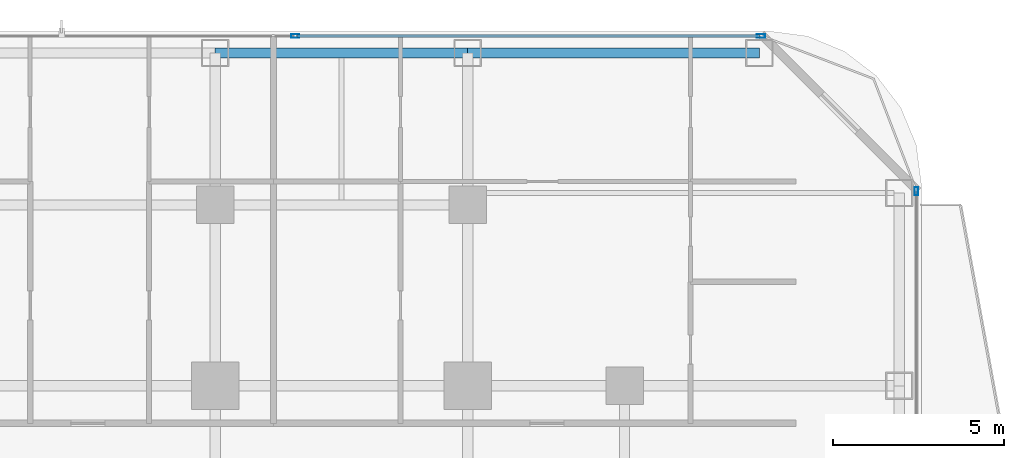
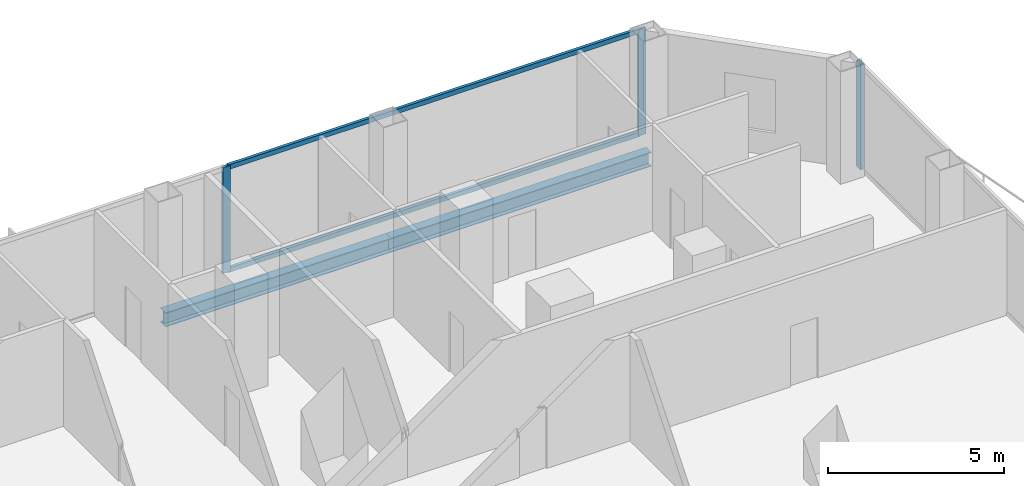
# One storey, part 17 of 30: 5 members, 2 beams, 2 elements without a shape of their own.
"""IFC4 building model written with IfcOpenShell, lengths in metres."""

from ifc_helpers import new_model, si_unit, direction, frame, origin, origin_2d, place, context, subcontext, project, spatial, hollow_rectangle, i_section, extrude, material, layer, layer_set, material_profile, profile_set, type_object, element, aggregate, save


model = new_model("IFC4")

# Units and contexts
model_context = context("Model", 3, precision=1e-05, world=origin(), true_north=direction((0.0, 1.0)))
body_context = subcontext(model_context, "Body", "Model", "MODEL_VIEW")
ifc_project = project(units=[si_unit("LENGTHUNIT", "METRE"), si_unit("AREAUNIT", "SQUARE_METRE"), si_unit("VOLUMEUNIT", "CUBIC_METRE"), si_unit("PLANEANGLEUNIT", "RADIAN"), si_unit("MASSUNIT", "GRAM", prefix="KILO")], contexts=[model_context])

# Site, building, storey
site_placement = place(None, origin())
site = spatial("IfcSite", under=ifc_project, at=site_placement, CompositionType="ELEMENT")
building_placement = place(site_placement, origin())
building = spatial("IfcBuilding", under=site, at=building_placement, Name="Khorvyn Point Tower", CompositionType="ELEMENT")
storey_placement = place(building_placement, frame((0.0, 0.0, 30.60009765625)))
storey = spatial("IfcBuildingStorey", under=building, at=storey_placement, Name="L08", CompositionType="ELEMENT", Elevation=30.60009765625)

# Curtain wall, members
ifc_material_1 = material(Name="Anodised aluminium 6063-T6 and laminated Low-E glass", Category="aluminium")
ifc_layer = layer(ifc_material_1, 0.18994140625)
ifc_layer_set = layer_set([ifc_layer], Name="Stick-Built Finned Residential Curtain Wall CW-SYS-02")
curtain_wall_type = type_object("IfcCurtainWallType", Name="Stick-Built Finned Residential Curtain Wall CW-SYS-02", PredefinedType="NOTDEFINED", material=ifc_layer_set)
curtain_wall_1_placement = place(storey_placement, origin())
curtain_wall_1 = element("IfcCurtainWall", 1, at=curtain_wall_1_placement, inside=storey, type_object=curtain_wall_type, Name="Curtain Wall", PredefinedType="NOTDEFINED")
ifc_material_2 = material(Name="Anodised aluminium 6063-T6", Category="aluminium")
ifc_material_profile_1 = material_profile(ifc_material_2, hollow_rectangle(XDim=0.10009765625, YDim=0.239990234375, WallThickness=0.0048828125, at=origin_2d()))
ifc_profile_set_1 = profile_set([ifc_material_profile_1], Name="Anodised aluminium 6063-T6 ALU-MUL-100x240")
member_type_1 = type_object("IfcMemberType", Name="Anodised Aluminium 6063-T6 Mullion ALU-MUL-100x240", PredefinedType="MULLION", material=ifc_profile_set_1)
member_1_placement = place(storey_placement, frame((9.75, 25.050048828125, 0.0), z_axis=(0.0, 0.0, 1.0), x_axis=(0.0, 1.0, 0.0)))
member_1 = element("IfcMember", 2, at=member_1_placement, type_object=member_type_1, Name="Transom", PredefinedType="MULLION", context=body_context, shape_type="SweptSolid", body=[
    extrude(hollow_rectangle(XDim=0.10009765625, YDim=0.239990234375, WallThickness=0.0048828125, at=origin_2d()), origin(), (0.0, 0.0, 1.0), 3.679931640625),
])
member_2_placement = place(storey_placement, frame((23.39990234375, 25.050048828125, 0.0), z_axis=(0.0, 0.0, 1.0), x_axis=(0.0, 1.0, 0.0)))
member_2 = element("IfcMember", 3, at=member_2_placement, type_object=member_type_1, Name="Transom", PredefinedType="MULLION", context=body_context, shape_type="SweptSolid", body=[
    extrude(hollow_rectangle(XDim=0.10009765625, YDim=0.239990234375, WallThickness=0.0048828125, at=origin_2d()), origin(), (0.0, 0.0, 1.0), 3.679931640625),
])

# Curtain wall, member
curtain_wall_2_placement = place(storey_placement, origin())
curtain_wall_2 = element("IfcCurtainWall", 4, at=curtain_wall_2_placement, inside=storey, type_object=curtain_wall_type, Name="Curtain Wall", PredefinedType="NOTDEFINED")
member_3_placement = place(storey_placement, frame((27.949951171875, 20.5, 0.0), z_axis=(0.0, 0.0, 1.0), x_axis=(1.0, 0.0, 0.0)))
member_3 = element("IfcMember", 5, at=member_3_placement, type_object=member_type_1, Name="Transom", PredefinedType="MULLION", context=body_context, shape_type="SweptSolid", body=[
    extrude(hollow_rectangle(XDim=0.10009765625, YDim=0.239990234375, WallThickness=0.0048828125, at=origin_2d()), origin(), (0.0, 0.0, 1.0), 3.679931640625),
])
aggregate(curtain_wall_2, [member_3])

# Member
ifc_material_profile_2 = material_profile(ifc_material_2, hollow_rectangle(XDim=0.10009765625, YDim=0.159912109375, WallThickness=0.00439453125, at=origin_2d()))
ifc_profile_set_2 = profile_set([ifc_material_profile_2], Name="Anodised aluminium 6063-T6 ALU-TRN-100x160")
member_type_2 = type_object("IfcMemberType", Name="Anodised Aluminium 6063-T6 Transom ALU-TRN-100x160", PredefinedType="USERDEFINED", material=ifc_profile_set_2)
member_4_placement = place(storey_placement, frame((9.800048828125, 25.050048828125, 0.0498046875), z_axis=(1.0, 0.0, 0.0), x_axis=(0.0, 1.0, 0.0)))
member_4 = element("IfcMember", 6, at=member_4_placement, type_object=member_type_2, Name="Transom", ObjectType="TRANSOM", PredefinedType="USERDEFINED", context=body_context, shape_type="SweptSolid", body=[
    extrude(hollow_rectangle(XDim=0.10009765625, YDim=0.159912109375, WallThickness=0.00439453125, at=origin_2d()), origin(), (0.0, 0.0, 1.0), 13.550048828125),
])

member_5_placement = place(storey_placement, frame((9.800048828125, 25.050048828125, 3.6298828125), z_axis=(1.0, 0.0, 0.0), x_axis=(0.0, 1.0, 0.0)))
member_5 = element("IfcMember", 7, at=member_5_placement, type_object=member_type_2, Name="Transom", ObjectType="TRANSOM", PredefinedType="USERDEFINED", context=body_context, shape_type="SweptSolid", body=[
    extrude(hollow_rectangle(XDim=0.10009765625, YDim=0.159912109375, WallThickness=0.00439453125, at=origin_2d()), origin(), (0.0, 0.0, 1.0), 13.550048828125),
])

aggregate(curtain_wall_1, [member_1, member_2, member_4, member_5])

# Beams
ifc_material_3 = material(Name="Steel S355", Category="steel")
ifc_material_profile_3 = material_profile(ifc_material_3, i_section(OverallWidth=0.300048828125, OverallDepth=0.488037109375, WebThickness=0.010986328125, FlangeThickness=0.01806640625, at=origin_2d()))
ifc_profile_set_3 = profile_set([ifc_material_profile_3], Name="Steel S355 H488x300x11x18")
beam_type = type_object("IfcBeamType", Name="Steel S355 Spandrel H488x300x11x18", PredefinedType="SPANDREL", material=ifc_profile_set_3)
beam_1_placement = place(storey_placement, frame((7.39990234375, 24.550048828125, -0.464111328125), z_axis=(1.0, 0.0, 0.0), x_axis=(0.0, 1.0, 0.0)))
element("IfcBeam", 8, at=beam_1_placement, inside=storey, type_object=beam_type, Name="Beam", PredefinedType="SPANDREL", context=body_context, shape_type="SweptSolid", body=[
    extrude(i_section(OverallWidth=0.300048828125, OverallDepth=0.488037109375, WebThickness=0.010986328125, FlangeThickness=0.01806640625, at=origin_2d()), origin(), (0.0, 0.0, 1.0), 7.400146484375),
])
beam_2_placement = place(storey_placement, frame((14.800048828125, 24.550048828125, -0.464111328125), z_axis=(1.0, 0.0, 0.0), x_axis=(0.0, 1.0, 0.0)))
element("IfcBeam", 9, at=beam_2_placement, inside=storey, type_object=beam_type, Name="Beam", PredefinedType="SPANDREL", context=body_context, shape_type="SweptSolid", body=[
    extrude(i_section(OverallWidth=0.300048828125, OverallDepth=0.488037109375, WebThickness=0.010986328125, FlangeThickness=0.01806640625, at=origin_2d()), origin(), (0.0, 0.0, 1.0), 8.550048828125),
])

save(model, "model.ifc")
